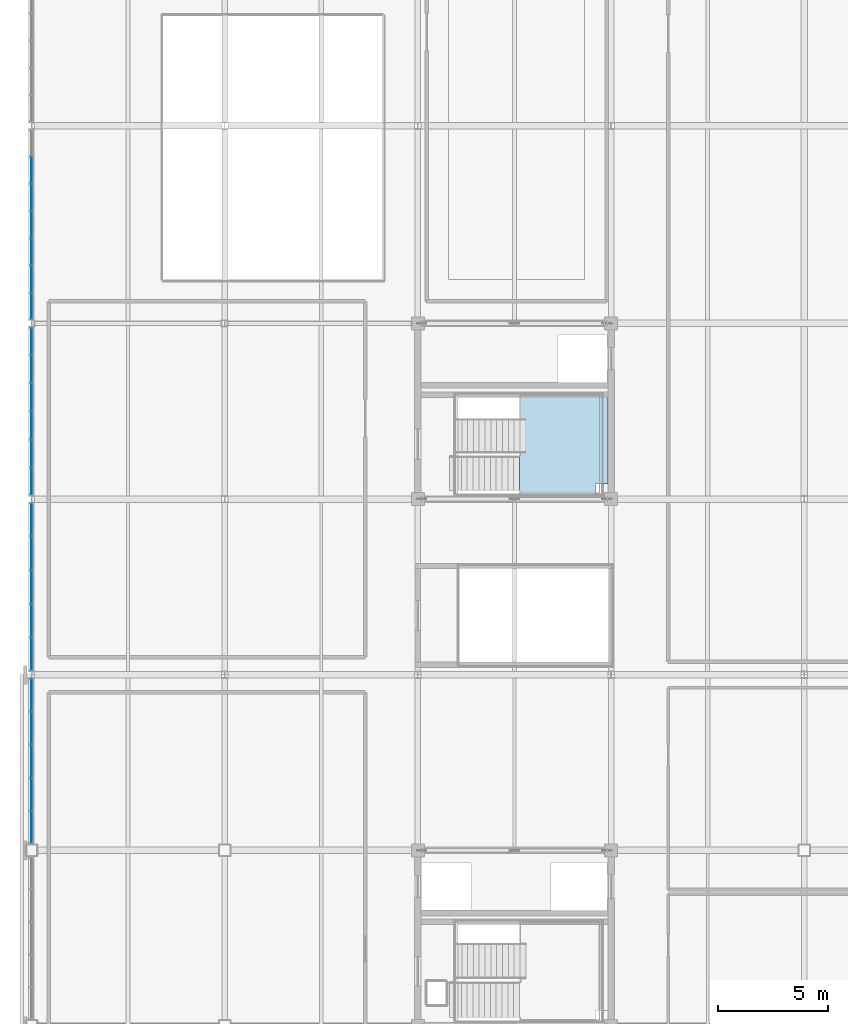
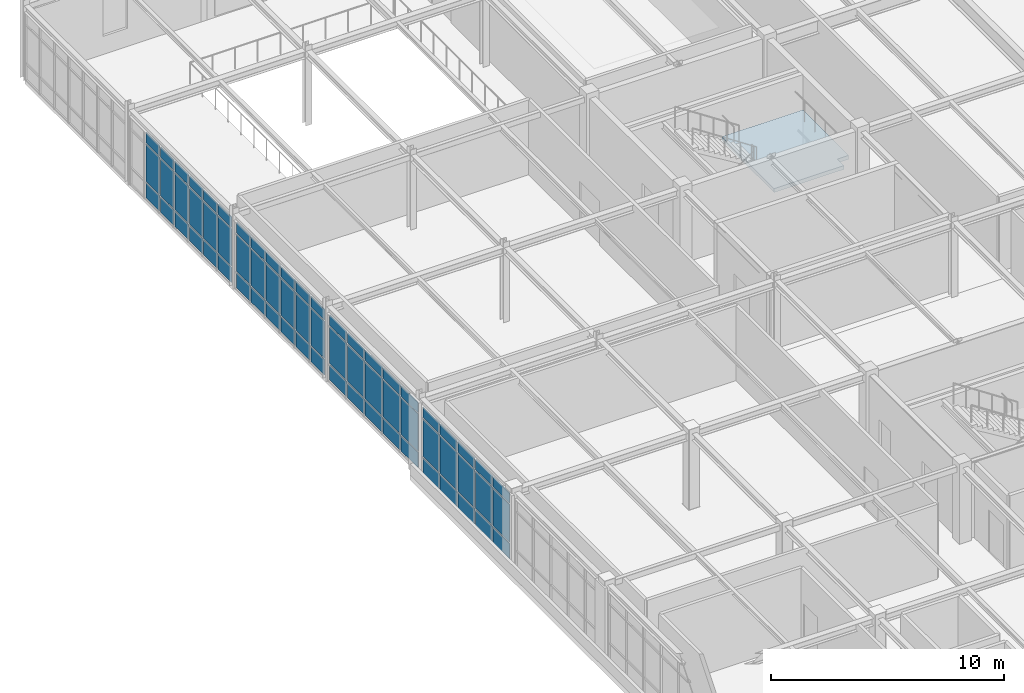
# One storey, part 43 of 88: 66 plates, 1 slab, 5 elements without a shape of their own.
"""IFC4 building model written with IfcOpenShell, lengths in metres."""

from ifc_helpers import new_model, si_unit, direction, frame, origin, origin_2d, place, context, subcontext, project, spatial, polyline, rectangle, outline, extrude, material, layer, layer_set, type_object, element, aggregate, save


model = new_model("IFC4")

# Units and contexts
model_context = context("Model", 3, precision=1e-05, world=origin(), true_north=direction((0.0, 1.0)))
body_context = subcontext(model_context, "Body", "Model", "MODEL_VIEW")
ifc_project = project(units=[si_unit("LENGTHUNIT", "METRE"), si_unit("AREAUNIT", "SQUARE_METRE"), si_unit("VOLUMEUNIT", "CUBIC_METRE"), si_unit("PLANEANGLEUNIT", "RADIAN"), si_unit("MASSUNIT", "GRAM", prefix="KILO")], contexts=[model_context])

# Site, building, storey
site_placement = place(None, origin())
site = spatial("IfcSite", under=ifc_project, at=site_placement, CompositionType="ELEMENT")
building_placement = place(site_placement, origin())
building = spatial("IfcBuilding", under=site, at=building_placement, Name="Zhaolan Boulevard Law Courts", CompositionType="ELEMENT")
storey_placement = place(building_placement, frame((0.0, 0.0, 16.199951171875)))
storey = spatial("IfcBuildingStorey", under=building, at=storey_placement, Name="L03", CompositionType="ELEMENT", Elevation=16.199951171875)

# Curtain wall, plates
ifc_material_1 = material(Name="Thermally broken aluminium and low-E glazing", Category="aluminium")
curtain_wall_type_1 = type_object("IfcCurtainWallType", Name="CURTAIN WALL M3", PredefinedType="USERDEFINED", material=ifc_material_1)
curtain_wall_1_placement = place(storey_placement, origin())
curtain_wall_1 = element("IfcCurtainWall", 1, at=curtain_wall_1_placement, inside=storey, type_object=curtain_wall_type_1, Name="Curtain Wall CW-L03-123", ObjectType="CURTAIN WALL", PredefinedType="USERDEFINED")
ifc_material_2 = material(Name="Triple-silver low-E insulated glazing", Category="glass")
ifc_layer_1 = layer(ifc_material_2, 0.028076171875)
ifc_layer_set_1 = layer_set([ifc_layer_1])
plate_type = type_object("IfcPlateType", Name="CWPANEL LOW E28", PredefinedType="CURTAIN_PANEL", material=ifc_layer_set_1)
plate_1_placement = place(storey_placement, frame((0.0, 85.062255859375, 0.06494140625), z_axis=(0.0, 0.0, 1.0), x_axis=(0.0, -1.0, 0.0)))
plate_1 = element("IfcPlate", 2, at=plate_1_placement, type_object=plate_type, Name="CW-L03-123 panel 1.1", PredefinedType="CURTAIN_PANEL", context=body_context, shape_type="SweptSolid", body=[
    extrude(rectangle(XDim=1.441650390625, YDim=0.028076171875, at=origin_2d()), origin(), (0.0, 0.0, 1.0), 0.802490234375),
])
plate_2_placement = place(storey_placement, frame((0.0, 85.062255859375, 0.9326171875), z_axis=(0.0, 0.0, 1.0), x_axis=(0.0, -1.0, 0.0)))
plate_2 = element("IfcPlate", 3, at=plate_2_placement, type_object=plate_type, Name="CW-L03-123 panel 1.2", PredefinedType="CURTAIN_PANEL", context=body_context, shape_type="SweptSolid", body=[
    extrude(rectangle(XDim=1.441650390625, YDim=0.028076171875, at=origin_2d()), origin(), (0.0, 0.0, 1.0), 1.947998046875),
])
plate_3_placement = place(storey_placement, frame((0.0, 85.062255859375, 2.9453125), z_axis=(0.0, 0.0, 1.0), x_axis=(0.0, -1.0, 0.0)))
plate_3 = element("IfcPlate", 4, at=plate_3_placement, type_object=plate_type, Name="CW-L03-123 panel 1.3", PredefinedType="CURTAIN_PANEL", context=body_context, shape_type="SweptSolid", body=[
    extrude(rectangle(XDim=1.441650390625, YDim=0.028076171875, at=origin_2d()), origin(), (0.0, 0.0, 1.0), 0.552490234375),
])
plate_4_placement = place(storey_placement, frame((0.0, 83.539306640625, 0.06494140625), z_axis=(0.0, 0.0, 1.0), x_axis=(0.0, -1.0, 0.0)))
plate_4 = element("IfcPlate", 5, at=plate_4_placement, type_object=plate_type, Name="CW-L03-123 panel 2.1", PredefinedType="CURTAIN_PANEL", context=body_context, shape_type="SweptSolid", body=[
    extrude(rectangle(XDim=1.47412109375, YDim=0.028076171875, at=origin_2d()), origin(), (0.0, 0.0, 1.0), 0.802490234375),
])
plate_5_placement = place(storey_placement, frame((0.0, 83.539306640625, 0.9326171875), z_axis=(0.0, 0.0, 1.0), x_axis=(0.0, -1.0, 0.0)))
plate_5 = element("IfcPlate", 6, at=plate_5_placement, type_object=plate_type, Name="CW-L03-123 panel 2.2", PredefinedType="CURTAIN_PANEL", context=body_context, shape_type="SweptSolid", body=[
    extrude(rectangle(XDim=1.47412109375, YDim=0.028076171875, at=origin_2d()), origin(), (0.0, 0.0, 1.0), 1.947998046875),
])
plate_6_placement = place(storey_placement, frame((0.0, 83.539306640625, 2.9453125), z_axis=(0.0, 0.0, 1.0), x_axis=(0.0, -1.0, 0.0)))
plate_6 = element("IfcPlate", 7, at=plate_6_placement, type_object=plate_type, Name="CW-L03-123 panel 2.3", PredefinedType="CURTAIN_PANEL", context=body_context, shape_type="SweptSolid", body=[
    extrude(rectangle(XDim=1.47412109375, YDim=0.028076171875, at=origin_2d()), origin(), (0.0, 0.0, 1.0), 0.552490234375),
])
plate_7_placement = place(storey_placement, frame((0.0, 82.0, 0.06494140625), z_axis=(0.0, 0.0, 1.0), x_axis=(0.0, -1.0, 0.0)))
plate_7 = element("IfcPlate", 8, at=plate_7_placement, type_object=plate_type, Name="CW-L03-123 panel 3.1", PredefinedType="CURTAIN_PANEL", context=body_context, shape_type="SweptSolid", body=[
    extrude(rectangle(XDim=1.47412109375, YDim=0.028076171875, at=origin_2d()), origin(), (0.0, 0.0, 1.0), 0.802490234375),
])
plate_8_placement = place(storey_placement, frame((0.0, 82.0, 0.9326171875), z_axis=(0.0, 0.0, 1.0), x_axis=(0.0, -1.0, 0.0)))
plate_8 = element("IfcPlate", 9, at=plate_8_placement, type_object=plate_type, Name="CW-L03-123 panel 3.2", PredefinedType="CURTAIN_PANEL", context=body_context, shape_type="SweptSolid", body=[
    extrude(rectangle(XDim=1.47412109375, YDim=0.028076171875, at=origin_2d()), origin(), (0.0, 0.0, 1.0), 1.947998046875),
])
plate_9_placement = place(storey_placement, frame((0.0, 82.0, 2.9453125), z_axis=(0.0, 0.0, 1.0), x_axis=(0.0, -1.0, 0.0)))
plate_9 = element("IfcPlate", 10, at=plate_9_placement, type_object=plate_type, Name="CW-L03-123 panel 3.3", PredefinedType="CURTAIN_PANEL", context=body_context, shape_type="SweptSolid", body=[
    extrude(rectangle(XDim=1.47412109375, YDim=0.028076171875, at=origin_2d()), origin(), (0.0, 0.0, 1.0), 0.552490234375),
])
plate_10_placement = place(storey_placement, frame((0.0, 80.460693359375, 0.06494140625), z_axis=(0.0, 0.0, 1.0), x_axis=(0.0, -1.0, 0.0)))
plate_10 = element("IfcPlate", 11, at=plate_10_placement, type_object=plate_type, Name="CW-L03-123 panel 4.1", PredefinedType="CURTAIN_PANEL", context=body_context, shape_type="SweptSolid", body=[
    extrude(rectangle(XDim=1.47412109375, YDim=0.028076171875, at=origin_2d()), origin(), (0.0, 0.0, 1.0), 0.802490234375),
])
plate_11_placement = place(storey_placement, frame((0.0, 80.460693359375, 0.9326171875), z_axis=(0.0, 0.0, 1.0), x_axis=(0.0, -1.0, 0.0)))
plate_11 = element("IfcPlate", 12, at=plate_11_placement, type_object=plate_type, Name="CW-L03-123 panel 4.2", PredefinedType="CURTAIN_PANEL", context=body_context, shape_type="SweptSolid", body=[
    extrude(rectangle(XDim=1.47412109375, YDim=0.028076171875, at=origin_2d()), origin(), (0.0, 0.0, 1.0), 1.947998046875),
])
plate_12_placement = place(storey_placement, frame((0.0, 80.460693359375, 2.9453125), z_axis=(0.0, 0.0, 1.0), x_axis=(0.0, -1.0, 0.0)))
plate_12 = element("IfcPlate", 13, at=plate_12_placement, type_object=plate_type, Name="CW-L03-123 panel 4.3", PredefinedType="CURTAIN_PANEL", context=body_context, shape_type="SweptSolid", body=[
    extrude(rectangle(XDim=1.47412109375, YDim=0.028076171875, at=origin_2d()), origin(), (0.0, 0.0, 1.0), 0.552490234375),
])
plate_13_placement = place(storey_placement, frame((0.0, 78.937744140625, 0.06494140625), z_axis=(0.0, 0.0, 1.0), x_axis=(0.0, -1.0, 0.0)))
plate_13 = element("IfcPlate", 14, at=plate_13_placement, type_object=plate_type, Name="CW-L03-123 panel 5.1", PredefinedType="CURTAIN_PANEL", context=body_context, shape_type="SweptSolid", body=[
    extrude(rectangle(XDim=1.441650390625, YDim=0.028076171875, at=origin_2d()), origin(), (0.0, 0.0, 1.0), 0.802490234375),
])
plate_14_placement = place(storey_placement, frame((0.0, 78.937744140625, 0.9326171875), z_axis=(0.0, 0.0, 1.0), x_axis=(0.0, -1.0, 0.0)))
plate_14 = element("IfcPlate", 15, at=plate_14_placement, type_object=plate_type, Name="CW-L03-123 panel 5.2", PredefinedType="CURTAIN_PANEL", context=body_context, shape_type="SweptSolid", body=[
    extrude(rectangle(XDim=1.441650390625, YDim=0.028076171875, at=origin_2d()), origin(), (0.0, 0.0, 1.0), 1.947998046875),
])
plate_15_placement = place(storey_placement, frame((0.0, 78.937744140625, 2.9453125), z_axis=(0.0, 0.0, 1.0), x_axis=(0.0, -1.0, 0.0)))
plate_15 = element("IfcPlate", 16, at=plate_15_placement, type_object=plate_type, Name="CW-L03-123 panel 5.3", PredefinedType="CURTAIN_PANEL", context=body_context, shape_type="SweptSolid", body=[
    extrude(rectangle(XDim=1.441650390625, YDim=0.028076171875, at=origin_2d()), origin(), (0.0, 0.0, 1.0), 0.552490234375),
])
aggregate(curtain_wall_1, [plate_1, plate_2, plate_3, plate_4, plate_5, plate_6, plate_7, plate_8, plate_9, plate_10, plate_11, plate_12, plate_13, plate_14, plate_15])

ifc_material_3 = material(Name="Thermally broken aluminium and low-E glazing", Category="aluminium")
curtain_wall_type_2 = type_object("IfcCurtainWallType", Name="CURTAIN WALL M4", PredefinedType="USERDEFINED", material=ifc_material_3)
curtain_wall_2_placement = place(storey_placement, origin())
curtain_wall_2 = element("IfcCurtainWall", 17, at=curtain_wall_2_placement, inside=storey, type_object=curtain_wall_type_2, Name="Curtain Wall CW-L03-124", ObjectType="CURTAIN WALL", PredefinedType="USERDEFINED")
plate_16_placement = place(storey_placement, frame((0.0, 93.1904296875, 0.06494140625), z_axis=(0.0, 0.0, 1.0), x_axis=(0.0, -1.0, 0.0)))
plate_16 = element("IfcPlate", 18, at=plate_16_placement, type_object=plate_type, Name="CW-L03-124 panel 1.1", PredefinedType="CURTAIN_PANEL", context=body_context, shape_type="SweptSolid", body=[
    extrude(rectangle(XDim=1.18505859375, YDim=0.028076171875, at=origin_2d()), origin(), (0.0, 0.0, 1.0), 0.802490234375),
])
plate_17_placement = place(storey_placement, frame((0.0, 93.1904296875, 0.9326171875), z_axis=(0.0, 0.0, 1.0), x_axis=(0.0, -1.0, 0.0)))
plate_17 = element("IfcPlate", 19, at=plate_17_placement, type_object=plate_type, Name="CW-L03-124 panel 1.2", PredefinedType="CURTAIN_PANEL", context=body_context, shape_type="SweptSolid", body=[
    extrude(rectangle(XDim=1.18505859375, YDim=0.028076171875, at=origin_2d()), origin(), (0.0, 0.0, 1.0), 1.947998046875),
])
plate_18_placement = place(storey_placement, frame((0.0, 93.1904296875, 2.9453125), z_axis=(0.0, 0.0, 1.0), x_axis=(0.0, -1.0, 0.0)))
plate_18 = element("IfcPlate", 20, at=plate_18_placement, type_object=plate_type, Name="CW-L03-124 panel 1.3", PredefinedType="CURTAIN_PANEL", context=body_context, shape_type="SweptSolid", body=[
    extrude(rectangle(XDim=1.18505859375, YDim=0.028076171875, at=origin_2d()), origin(), (0.0, 0.0, 1.0), 0.552490234375),
])
plate_19_placement = place(storey_placement, frame((0.0, 91.924072265625, 0.06494140625), z_axis=(0.0, 0.0, 1.0), x_axis=(0.0, -1.0, 0.0)))
plate_19 = element("IfcPlate", 21, at=plate_19_placement, type_object=plate_type, Name="CW-L03-124 panel 2.1", PredefinedType="CURTAIN_PANEL", context=body_context, shape_type="SweptSolid", body=[
    extrude(rectangle(XDim=1.2177734375, YDim=0.028076171875, at=origin_2d()), origin(), (0.0, 0.0, 1.0), 0.802490234375),
])
plate_20_placement = place(storey_placement, frame((0.0, 91.924072265625, 0.9326171875), z_axis=(0.0, 0.0, 1.0), x_axis=(0.0, -1.0, 0.0)))
plate_20 = element("IfcPlate", 22, at=plate_20_placement, type_object=plate_type, Name="CW-L03-124 panel 2.2", PredefinedType="CURTAIN_PANEL", context=body_context, shape_type="SweptSolid", body=[
    extrude(rectangle(XDim=1.2177734375, YDim=0.028076171875, at=origin_2d()), origin(), (0.0, 0.0, 1.0), 1.947998046875),
])
plate_21_placement = place(storey_placement, frame((0.0, 91.924072265625, 2.9453125), z_axis=(0.0, 0.0, 1.0), x_axis=(0.0, -1.0, 0.0)))
plate_21 = element("IfcPlate", 23, at=plate_21_placement, type_object=plate_type, Name="CW-L03-124 panel 2.3", PredefinedType="CURTAIN_PANEL", context=body_context, shape_type="SweptSolid", body=[
    extrude(rectangle(XDim=1.2177734375, YDim=0.028076171875, at=origin_2d()), origin(), (0.0, 0.0, 1.0), 0.552490234375),
])
plate_22_placement = place(storey_placement, frame((0.0, 90.641357421875, 0.06494140625), z_axis=(0.0, 0.0, 1.0), x_axis=(0.0, -1.0, 0.0)))
plate_22 = element("IfcPlate", 24, at=plate_22_placement, type_object=plate_type, Name="CW-L03-124 panel 3.1", PredefinedType="CURTAIN_PANEL", context=body_context, shape_type="SweptSolid", body=[
    extrude(rectangle(XDim=1.2177734375, YDim=0.028076171875, at=origin_2d()), origin(), (0.0, 0.0, 1.0), 0.802490234375),
])
plate_23_placement = place(storey_placement, frame((0.0, 90.641357421875, 0.9326171875), z_axis=(0.0, 0.0, 1.0), x_axis=(0.0, -1.0, 0.0)))
plate_23 = element("IfcPlate", 25, at=plate_23_placement, type_object=plate_type, Name="CW-L03-124 panel 3.2", PredefinedType="CURTAIN_PANEL", context=body_context, shape_type="SweptSolid", body=[
    extrude(rectangle(XDim=1.2177734375, YDim=0.028076171875, at=origin_2d()), origin(), (0.0, 0.0, 1.0), 1.947998046875),
])
plate_24_placement = place(storey_placement, frame((0.0, 90.641357421875, 2.9453125), z_axis=(0.0, 0.0, 1.0), x_axis=(0.0, -1.0, 0.0)))
plate_24 = element("IfcPlate", 26, at=plate_24_placement, type_object=plate_type, Name="CW-L03-124 panel 3.3", PredefinedType="CURTAIN_PANEL", context=body_context, shape_type="SweptSolid", body=[
    extrude(rectangle(XDim=1.2177734375, YDim=0.028076171875, at=origin_2d()), origin(), (0.0, 0.0, 1.0), 0.552490234375),
])
plate_25_placement = place(storey_placement, frame((0.0, 89.358642578125, 0.06494140625), z_axis=(0.0, 0.0, 1.0), x_axis=(0.0, -1.0, 0.0)))
plate_25 = element("IfcPlate", 27, at=plate_25_placement, type_object=plate_type, Name="CW-L03-124 panel 4.1", PredefinedType="CURTAIN_PANEL", context=body_context, shape_type="SweptSolid", body=[
    extrude(rectangle(XDim=1.2177734375, YDim=0.028076171875, at=origin_2d()), origin(), (0.0, 0.0, 1.0), 0.802490234375),
])
plate_26_placement = place(storey_placement, frame((0.0, 89.358642578125, 0.9326171875), z_axis=(0.0, 0.0, 1.0), x_axis=(0.0, -1.0, 0.0)))
plate_26 = element("IfcPlate", 28, at=plate_26_placement, type_object=plate_type, Name="CW-L03-124 panel 4.2", PredefinedType="CURTAIN_PANEL", context=body_context, shape_type="SweptSolid", body=[
    extrude(rectangle(XDim=1.2177734375, YDim=0.028076171875, at=origin_2d()), origin(), (0.0, 0.0, 1.0), 1.947998046875),
])
plate_27_placement = place(storey_placement, frame((0.0, 89.358642578125, 2.9453125), z_axis=(0.0, 0.0, 1.0), x_axis=(0.0, -1.0, 0.0)))
plate_27 = element("IfcPlate", 29, at=plate_27_placement, type_object=plate_type, Name="CW-L03-124 panel 4.3", PredefinedType="CURTAIN_PANEL", context=body_context, shape_type="SweptSolid", body=[
    extrude(rectangle(XDim=1.2177734375, YDim=0.028076171875, at=origin_2d()), origin(), (0.0, 0.0, 1.0), 0.552490234375),
])
plate_28_placement = place(storey_placement, frame((0.0, 88.075927734375, 0.06494140625), z_axis=(0.0, 0.0, 1.0), x_axis=(0.0, -1.0, 0.0)))
plate_28 = element("IfcPlate", 30, at=plate_28_placement, type_object=plate_type, Name="CW-L03-124 panel 5.1", PredefinedType="CURTAIN_PANEL", context=body_context, shape_type="SweptSolid", body=[
    extrude(rectangle(XDim=1.2177734375, YDim=0.028076171875, at=origin_2d()), origin(), (0.0, 0.0, 1.0), 0.802490234375),
])
plate_29_placement = place(storey_placement, frame((0.0, 88.075927734375, 0.9326171875), z_axis=(0.0, 0.0, 1.0), x_axis=(0.0, -1.0, 0.0)))
plate_29 = element("IfcPlate", 31, at=plate_29_placement, type_object=plate_type, Name="CW-L03-124 panel 5.2", PredefinedType="CURTAIN_PANEL", context=body_context, shape_type="SweptSolid", body=[
    extrude(rectangle(XDim=1.2177734375, YDim=0.028076171875, at=origin_2d()), origin(), (0.0, 0.0, 1.0), 1.947998046875),
])
plate_30_placement = place(storey_placement, frame((0.0, 88.075927734375, 2.9453125), z_axis=(0.0, 0.0, 1.0), x_axis=(0.0, -1.0, 0.0)))
plate_30 = element("IfcPlate", 32, at=plate_30_placement, type_object=plate_type, Name="CW-L03-124 panel 5.3", PredefinedType="CURTAIN_PANEL", context=body_context, shape_type="SweptSolid", body=[
    extrude(rectangle(XDim=1.2177734375, YDim=0.028076171875, at=origin_2d()), origin(), (0.0, 0.0, 1.0), 0.552490234375),
])
plate_31_placement = place(storey_placement, frame((0.0, 86.8095703125, 0.06494140625), z_axis=(0.0, 0.0, 1.0), x_axis=(0.0, -1.0, 0.0)))
plate_31 = element("IfcPlate", 33, at=plate_31_placement, type_object=plate_type, Name="CW-L03-124 panel 6.1", PredefinedType="CURTAIN_PANEL", context=body_context, shape_type="SweptSolid", body=[
    extrude(rectangle(XDim=1.18505859375, YDim=0.028076171875, at=origin_2d()), origin(), (0.0, 0.0, 1.0), 0.802490234375),
])
plate_32_placement = place(storey_placement, frame((0.0, 86.8095703125, 0.9326171875), z_axis=(0.0, 0.0, 1.0), x_axis=(0.0, -1.0, 0.0)))
plate_32 = element("IfcPlate", 34, at=plate_32_placement, type_object=plate_type, Name="CW-L03-124 panel 6.2", PredefinedType="CURTAIN_PANEL", context=body_context, shape_type="SweptSolid", body=[
    extrude(rectangle(XDim=1.18505859375, YDim=0.028076171875, at=origin_2d()), origin(), (0.0, 0.0, 1.0), 1.947998046875),
])
plate_33_placement = place(storey_placement, frame((0.0, 86.8095703125, 2.9453125), z_axis=(0.0, 0.0, 1.0), x_axis=(0.0, -1.0, 0.0)))
plate_33 = element("IfcPlate", 35, at=plate_33_placement, type_object=plate_type, Name="CW-L03-124 panel 6.3", PredefinedType="CURTAIN_PANEL", context=body_context, shape_type="SweptSolid", body=[
    extrude(rectangle(XDim=1.18505859375, YDim=0.028076171875, at=origin_2d()), origin(), (0.0, 0.0, 1.0), 0.552490234375),
])
aggregate(curtain_wall_2, [plate_16, plate_17, plate_18, plate_19, plate_20, plate_21, plate_22, plate_23, plate_24, plate_25, plate_26, plate_27, plate_28, plate_29, plate_30, plate_31, plate_32, plate_33])

ifc_material_4 = material(Name="Thermally broken aluminium and low-E glazing", Category="aluminium")
curtain_wall_type_3 = type_object("IfcCurtainWallType", Name="CURTAIN WALL M5", PredefinedType="USERDEFINED", material=ifc_material_4)
curtain_wall_3_placement = place(storey_placement, origin())
curtain_wall_3 = element("IfcCurtainWall", 36, at=curtain_wall_3_placement, inside=storey, type_object=curtain_wall_type_3, Name="Curtain Wall CW-L03-125", ObjectType="CURTAIN WALL", PredefinedType="USERDEFINED")
plate_34_placement = place(storey_placement, frame((0.0, 100.984619140625, 0.06494140625), z_axis=(0.0, 0.0, 1.0), x_axis=(0.0, -1.0, 0.0)))
plate_34 = element("IfcPlate", 37, at=plate_34_placement, type_object=plate_type, Name="CW-L03-125 panel 2.1", PredefinedType="CURTAIN_PANEL", context=body_context, shape_type="SweptSolid", body=[
    extrude(rectangle(XDim=1.17724609375, YDim=0.028076171875, at=origin_2d()), origin(), (0.0, 0.0, 1.0), 0.802490234375),
])
plate_35_placement = place(storey_placement, frame((0.0, 100.984619140625, 0.9326171875), z_axis=(0.0, 0.0, 1.0), x_axis=(0.0, -1.0, 0.0)))
plate_35 = element("IfcPlate", 38, at=plate_35_placement, type_object=plate_type, Name="CW-L03-125 panel 2.2", PredefinedType="CURTAIN_PANEL", context=body_context, shape_type="SweptSolid", body=[
    extrude(rectangle(XDim=1.17724609375, YDim=0.028076171875, at=origin_2d()), origin(), (0.0, 0.0, 1.0), 1.947998046875),
])
plate_36_placement = place(storey_placement, frame((0.0, 100.984619140625, 2.9453125), z_axis=(0.0, 0.0, 1.0), x_axis=(0.0, -1.0, 0.0)))
plate_36 = element("IfcPlate", 39, at=plate_36_placement, type_object=plate_type, Name="CW-L03-125 panel 2.3", PredefinedType="CURTAIN_PANEL", context=body_context, shape_type="SweptSolid", body=[
    extrude(rectangle(XDim=1.17724609375, YDim=0.028076171875, at=origin_2d()), origin(), (0.0, 0.0, 1.0), 0.552490234375),
])
plate_37_placement = place(storey_placement, frame((0.0, 99.7421875, 0.06494140625), z_axis=(0.0, 0.0, 1.0), x_axis=(0.0, -1.0, 0.0)))
plate_37 = element("IfcPlate", 40, at=plate_37_placement, type_object=plate_type, Name="CW-L03-125 panel 3.1", PredefinedType="CURTAIN_PANEL", context=body_context, shape_type="SweptSolid", body=[
    extrude(rectangle(XDim=1.17724609375, YDim=0.028076171875, at=origin_2d()), origin(), (0.0, 0.0, 1.0), 0.802490234375),
])
plate_38_placement = place(storey_placement, frame((0.0, 99.7421875, 0.9326171875), z_axis=(0.0, 0.0, 1.0), x_axis=(0.0, -1.0, 0.0)))
plate_38 = element("IfcPlate", 41, at=plate_38_placement, type_object=plate_type, Name="CW-L03-125 panel 3.2", PredefinedType="CURTAIN_PANEL", context=body_context, shape_type="SweptSolid", body=[
    extrude(rectangle(XDim=1.17724609375, YDim=0.028076171875, at=origin_2d()), origin(), (0.0, 0.0, 1.0), 1.947998046875),
])
plate_39_placement = place(storey_placement, frame((0.0, 99.7421875, 2.9453125), z_axis=(0.0, 0.0, 1.0), x_axis=(0.0, -1.0, 0.0)))
plate_39 = element("IfcPlate", 42, at=plate_39_placement, type_object=plate_type, Name="CW-L03-125 panel 3.3", PredefinedType="CURTAIN_PANEL", context=body_context, shape_type="SweptSolid", body=[
    extrude(rectangle(XDim=1.17724609375, YDim=0.028076171875, at=origin_2d()), origin(), (0.0, 0.0, 1.0), 0.552490234375),
])
plate_40_placement = place(storey_placement, frame((0.0, 98.5, 0.06494140625), z_axis=(0.0, 0.0, 1.0), x_axis=(0.0, -1.0, 0.0)))
plate_40 = element("IfcPlate", 43, at=plate_40_placement, type_object=plate_type, Name="CW-L03-125 panel 4.1", PredefinedType="CURTAIN_PANEL", context=body_context, shape_type="SweptSolid", body=[
    extrude(rectangle(XDim=1.17724609375, YDim=0.028076171875, at=origin_2d()), origin(), (0.0, 0.0, 1.0), 0.802490234375),
])
plate_41_placement = place(storey_placement, frame((0.0, 98.5, 0.9326171875), z_axis=(0.0, 0.0, 1.0), x_axis=(0.0, -1.0, 0.0)))
plate_41 = element("IfcPlate", 44, at=plate_41_placement, type_object=plate_type, Name="CW-L03-125 panel 4.2", PredefinedType="CURTAIN_PANEL", context=body_context, shape_type="SweptSolid", body=[
    extrude(rectangle(XDim=1.17724609375, YDim=0.028076171875, at=origin_2d()), origin(), (0.0, 0.0, 1.0), 1.947998046875),
])
plate_42_placement = place(storey_placement, frame((0.0, 98.5, 2.9453125), z_axis=(0.0, 0.0, 1.0), x_axis=(0.0, -1.0, 0.0)))
plate_42 = element("IfcPlate", 45, at=plate_42_placement, type_object=plate_type, Name="CW-L03-125 panel 4.3", PredefinedType="CURTAIN_PANEL", context=body_context, shape_type="SweptSolid", body=[
    extrude(rectangle(XDim=1.17724609375, YDim=0.028076171875, at=origin_2d()), origin(), (0.0, 0.0, 1.0), 0.552490234375),
])
plate_43_placement = place(storey_placement, frame((0.0, 97.2578125, 0.06494140625), z_axis=(0.0, 0.0, 1.0), x_axis=(0.0, -1.0, 0.0)))
plate_43 = element("IfcPlate", 46, at=plate_43_placement, type_object=plate_type, Name="CW-L03-125 panel 5.1", PredefinedType="CURTAIN_PANEL", context=body_context, shape_type="SweptSolid", body=[
    extrude(rectangle(XDim=1.17724609375, YDim=0.028076171875, at=origin_2d()), origin(), (0.0, 0.0, 1.0), 0.802490234375),
])
plate_44_placement = place(storey_placement, frame((0.0, 97.2578125, 0.9326171875), z_axis=(0.0, 0.0, 1.0), x_axis=(0.0, -1.0, 0.0)))
plate_44 = element("IfcPlate", 47, at=plate_44_placement, type_object=plate_type, Name="CW-L03-125 panel 5.2", PredefinedType="CURTAIN_PANEL", context=body_context, shape_type="SweptSolid", body=[
    extrude(rectangle(XDim=1.17724609375, YDim=0.028076171875, at=origin_2d()), origin(), (0.0, 0.0, 1.0), 1.947998046875),
])
plate_45_placement = place(storey_placement, frame((0.0, 97.2578125, 2.9453125), z_axis=(0.0, 0.0, 1.0), x_axis=(0.0, -1.0, 0.0)))
plate_45 = element("IfcPlate", 48, at=plate_45_placement, type_object=plate_type, Name="CW-L03-125 panel 5.3", PredefinedType="CURTAIN_PANEL", context=body_context, shape_type="SweptSolid", body=[
    extrude(rectangle(XDim=1.17724609375, YDim=0.028076171875, at=origin_2d()), origin(), (0.0, 0.0, 1.0), 0.552490234375),
])
plate_46_placement = place(storey_placement, frame((0.0, 96.015380859375, 0.06494140625), z_axis=(0.0, 0.0, 1.0), x_axis=(0.0, -1.0, 0.0)))
plate_46 = element("IfcPlate", 49, at=plate_46_placement, type_object=plate_type, Name="CW-L03-125 panel 6.1", PredefinedType="CURTAIN_PANEL", context=body_context, shape_type="SweptSolid", body=[
    extrude(rectangle(XDim=1.17724609375, YDim=0.028076171875, at=origin_2d()), origin(), (0.0, 0.0, 1.0), 0.802490234375),
])
plate_47_placement = place(storey_placement, frame((0.0, 96.015380859375, 0.9326171875), z_axis=(0.0, 0.0, 1.0), x_axis=(0.0, -1.0, 0.0)))
plate_47 = element("IfcPlate", 50, at=plate_47_placement, type_object=plate_type, Name="CW-L03-125 panel 6.2", PredefinedType="CURTAIN_PANEL", context=body_context, shape_type="SweptSolid", body=[
    extrude(rectangle(XDim=1.17724609375, YDim=0.028076171875, at=origin_2d()), origin(), (0.0, 0.0, 1.0), 1.947998046875),
])
plate_48_placement = place(storey_placement, frame((0.0, 96.015380859375, 2.9453125), z_axis=(0.0, 0.0, 1.0), x_axis=(0.0, -1.0, 0.0)))
plate_48 = element("IfcPlate", 51, at=plate_48_placement, type_object=plate_type, Name="CW-L03-125 panel 6.3", PredefinedType="CURTAIN_PANEL", context=body_context, shape_type="SweptSolid", body=[
    extrude(rectangle(XDim=1.17724609375, YDim=0.028076171875, at=origin_2d()), origin(), (0.0, 0.0, 1.0), 0.552490234375),
])
plate_49_placement = place(storey_placement, frame((0.0, 94.789306640625, 0.06494140625), z_axis=(0.0, 0.0, 1.0), x_axis=(0.0, -1.0, 0.0)))
plate_49 = element("IfcPlate", 52, at=plate_49_placement, type_object=plate_type, Name="CW-L03-125 panel 7.1", PredefinedType="CURTAIN_PANEL", context=body_context, shape_type="SweptSolid", body=[
    extrude(rectangle(XDim=1.144775390625, YDim=0.028076171875, at=origin_2d()), origin(), (0.0, 0.0, 1.0), 0.802490234375),
])
plate_50_placement = place(storey_placement, frame((0.0, 94.789306640625, 0.9326171875), z_axis=(0.0, 0.0, 1.0), x_axis=(0.0, -1.0, 0.0)))
plate_50 = element("IfcPlate", 53, at=plate_50_placement, type_object=plate_type, Name="CW-L03-125 panel 7.2", PredefinedType="CURTAIN_PANEL", context=body_context, shape_type="SweptSolid", body=[
    extrude(rectangle(XDim=1.144775390625, YDim=0.028076171875, at=origin_2d()), origin(), (0.0, 0.0, 1.0), 1.947998046875),
])
plate_51_placement = place(storey_placement, frame((0.0, 94.789306640625, 2.9453125), z_axis=(0.0, 0.0, 1.0), x_axis=(0.0, -1.0, 0.0)))
plate_51 = element("IfcPlate", 54, at=plate_51_placement, type_object=plate_type, Name="CW-L03-125 panel 7.3", PredefinedType="CURTAIN_PANEL", context=body_context, shape_type="SweptSolid", body=[
    extrude(rectangle(XDim=1.144775390625, YDim=0.028076171875, at=origin_2d()), origin(), (0.0, 0.0, 1.0), 0.552490234375),
])
aggregate(curtain_wall_3, [plate_34, plate_35, plate_36, plate_37, plate_38, plate_39, plate_40, plate_41, plate_42, plate_43, plate_44, plate_45, plate_46, plate_47, plate_48, plate_49, plate_50, plate_51])

ifc_material_5 = material(Name="Thermally broken aluminium and low-E glazing", Category="aluminium")
curtain_wall_type_4 = type_object("IfcCurtainWallType", Name="CURTAIN WALL M10", PredefinedType="USERDEFINED", material=ifc_material_5)
curtain_wall_4_placement = place(storey_placement, origin())
curtain_wall_4 = element("IfcCurtainWall", 55, at=curtain_wall_4_placement, inside=storey, type_object=curtain_wall_type_4, Name="Curtain Wall CW-L03-178", ObjectType="CURTAIN WALL", PredefinedType="USERDEFINED")
plate_52_placement = place(storey_placement, frame((0.0, 77.07470703125, 0.06494140625), z_axis=(0.0, 0.0, 1.0), x_axis=(0.0, -1.0, 0.0)))
plate_52 = element("IfcPlate", 56, at=plate_52_placement, type_object=plate_type, Name="CW-L03-178 panel 1.1", PredefinedType="CURTAIN_PANEL", context=body_context, shape_type="SweptSolid", body=[
    extrude(rectangle(XDim=1.416748046875, YDim=0.028076171875, at=origin_2d()), origin(), (0.0, 0.0, 1.0), 0.802490234375),
])
plate_53_placement = place(storey_placement, frame((0.0, 77.07470703125, 0.9326171875), z_axis=(0.0, 0.0, 1.0), x_axis=(0.0, -1.0, 0.0)))
plate_53 = element("IfcPlate", 57, at=plate_53_placement, type_object=plate_type, Name="CW-L03-178 panel 1.2", PredefinedType="CURTAIN_PANEL", context=body_context, shape_type="SweptSolid", body=[
    extrude(rectangle(XDim=1.416748046875, YDim=0.028076171875, at=origin_2d()), origin(), (0.0, 0.0, 1.0), 1.97802734375),
])
plate_54_placement = place(storey_placement, frame((0.0, 77.07470703125, 2.9755859375), z_axis=(0.0, 0.0, 1.0), x_axis=(0.0, -1.0, 0.0)))
plate_54 = element("IfcPlate", 58, at=plate_54_placement, type_object=plate_type, Name="CW-L03-178 panel 1.3", PredefinedType="CURTAIN_PANEL", context=body_context, shape_type="SweptSolid", body=[
    extrude(rectangle(XDim=1.416748046875, YDim=0.028076171875, at=origin_2d()), origin(), (0.0, 0.0, 1.0), 0.552490234375),
])
plate_55_placement = place(storey_placement, frame((0.0, 75.57666015625, 0.06494140625), z_axis=(0.0, 0.0, 1.0), x_axis=(0.0, -1.0, 0.0)))
plate_55 = element("IfcPlate", 59, at=plate_55_placement, type_object=plate_type, Name="CW-L03-178 panel 2.1", PredefinedType="CURTAIN_PANEL", context=body_context, shape_type="SweptSolid", body=[
    extrude(rectangle(XDim=1.44921875, YDim=0.028076171875, at=origin_2d()), origin(), (0.0, 0.0, 1.0), 0.802490234375),
])
plate_56_placement = place(storey_placement, frame((0.0, 75.57666015625, 0.9326171875), z_axis=(0.0, 0.0, 1.0), x_axis=(0.0, -1.0, 0.0)))
plate_56 = element("IfcPlate", 60, at=plate_56_placement, type_object=plate_type, Name="CW-L03-178 panel 2.2", PredefinedType="CURTAIN_PANEL", context=body_context, shape_type="SweptSolid", body=[
    extrude(rectangle(XDim=1.44921875, YDim=0.028076171875, at=origin_2d()), origin(), (0.0, 0.0, 1.0), 1.97802734375),
])
plate_57_placement = place(storey_placement, frame((0.0, 75.57666015625, 2.9755859375), z_axis=(0.0, 0.0, 1.0), x_axis=(0.0, -1.0, 0.0)))
plate_57 = element("IfcPlate", 61, at=plate_57_placement, type_object=plate_type, Name="CW-L03-178 panel 2.3", PredefinedType="CURTAIN_PANEL", context=body_context, shape_type="SweptSolid", body=[
    extrude(rectangle(XDim=1.44921875, YDim=0.028076171875, at=origin_2d()), origin(), (0.0, 0.0, 1.0), 0.552490234375),
])
plate_58_placement = place(storey_placement, frame((0.0, 74.0625, 0.06494140625), z_axis=(0.0, 0.0, 1.0), x_axis=(0.0, -1.0, 0.0)))
plate_58 = element("IfcPlate", 62, at=plate_58_placement, type_object=plate_type, Name="CW-L03-178 panel 3.1", PredefinedType="CURTAIN_PANEL", context=body_context, shape_type="SweptSolid", body=[
    extrude(rectangle(XDim=1.44921875, YDim=0.028076171875, at=origin_2d()), origin(), (0.0, 0.0, 1.0), 0.802490234375),
])
plate_59_placement = place(storey_placement, frame((0.0, 74.0625, 0.9326171875), z_axis=(0.0, 0.0, 1.0), x_axis=(0.0, -1.0, 0.0)))
plate_59 = element("IfcPlate", 63, at=plate_59_placement, type_object=plate_type, Name="CW-L03-178 panel 3.2", PredefinedType="CURTAIN_PANEL", context=body_context, shape_type="SweptSolid", body=[
    extrude(rectangle(XDim=1.44921875, YDim=0.028076171875, at=origin_2d()), origin(), (0.0, 0.0, 1.0), 1.97802734375),
])
plate_60_placement = place(storey_placement, frame((0.0, 74.0625, 2.9755859375), z_axis=(0.0, 0.0, 1.0), x_axis=(0.0, -1.0, 0.0)))
plate_60 = element("IfcPlate", 64, at=plate_60_placement, type_object=plate_type, Name="CW-L03-178 panel 3.3", PredefinedType="CURTAIN_PANEL", context=body_context, shape_type="SweptSolid", body=[
    extrude(rectangle(XDim=1.44921875, YDim=0.028076171875, at=origin_2d()), origin(), (0.0, 0.0, 1.0), 0.552490234375),
])
plate_61_placement = place(storey_placement, frame((0.0, 72.54833984375, 0.06494140625), z_axis=(0.0, 0.0, 1.0), x_axis=(0.0, -1.0, 0.0)))
plate_61 = element("IfcPlate", 65, at=plate_61_placement, type_object=plate_type, Name="CW-L03-178 panel 4.1", PredefinedType="CURTAIN_PANEL", context=body_context, shape_type="SweptSolid", body=[
    extrude(rectangle(XDim=1.44921875, YDim=0.028076171875, at=origin_2d()), origin(), (0.0, 0.0, 1.0), 0.802490234375),
])
plate_62_placement = place(storey_placement, frame((0.0, 72.54833984375, 0.9326171875), z_axis=(0.0, 0.0, 1.0), x_axis=(0.0, -1.0, 0.0)))
plate_62 = element("IfcPlate", 66, at=plate_62_placement, type_object=plate_type, Name="CW-L03-178 panel 4.2", PredefinedType="CURTAIN_PANEL", context=body_context, shape_type="SweptSolid", body=[
    extrude(rectangle(XDim=1.44921875, YDim=0.028076171875, at=origin_2d()), origin(), (0.0, 0.0, 1.0), 1.97802734375),
])
plate_63_placement = place(storey_placement, frame((0.0, 72.54833984375, 2.9755859375), z_axis=(0.0, 0.0, 1.0), x_axis=(0.0, -1.0, 0.0)))
plate_63 = element("IfcPlate", 67, at=plate_63_placement, type_object=plate_type, Name="CW-L03-178 panel 4.3", PredefinedType="CURTAIN_PANEL", context=body_context, shape_type="SweptSolid", body=[
    extrude(rectangle(XDim=1.44921875, YDim=0.028076171875, at=origin_2d()), origin(), (0.0, 0.0, 1.0), 0.552490234375),
])
plate_64_placement = place(storey_placement, frame((0.0, 71.05029296875, 0.06494140625), z_axis=(0.0, 0.0, 1.0), x_axis=(0.0, -1.0, 0.0)))
plate_64 = element("IfcPlate", 68, at=plate_64_placement, type_object=plate_type, Name="CW-L03-178 panel 5.1", PredefinedType="CURTAIN_PANEL", context=body_context, shape_type="SweptSolid", body=[
    extrude(rectangle(XDim=1.416748046875, YDim=0.028076171875, at=origin_2d()), origin(), (0.0, 0.0, 1.0), 0.802490234375),
])
plate_65_placement = place(storey_placement, frame((0.0, 71.05029296875, 0.9326171875), z_axis=(0.0, 0.0, 1.0), x_axis=(0.0, -1.0, 0.0)))
plate_65 = element("IfcPlate", 69, at=plate_65_placement, type_object=plate_type, Name="CW-L03-178 panel 5.2", PredefinedType="CURTAIN_PANEL", context=body_context, shape_type="SweptSolid", body=[
    extrude(rectangle(XDim=1.416748046875, YDim=0.028076171875, at=origin_2d()), origin(), (0.0, 0.0, 1.0), 1.97802734375),
])
plate_66_placement = place(storey_placement, frame((0.0, 71.05029296875, 2.9755859375), z_axis=(0.0, 0.0, 1.0), x_axis=(0.0, -1.0, 0.0)))
plate_66 = element("IfcPlate", 70, at=plate_66_placement, type_object=plate_type, Name="CW-L03-178 panel 5.3", PredefinedType="CURTAIN_PANEL", context=body_context, shape_type="SweptSolid", body=[
    extrude(rectangle(XDim=1.416748046875, YDim=0.028076171875, at=origin_2d()), origin(), (0.0, 0.0, 1.0), 0.552490234375),
])
aggregate(curtain_wall_4, [plate_52, plate_53, plate_54, plate_55, plate_56, plate_57, plate_58, plate_59, plate_60, plate_61, plate_62, plate_63, plate_64, plate_65, plate_66])

# Stair, slab
ifc_material_6 = material(Name="Concrete C40", Category="concrete")
stair_type = type_object("IfcStairType", Name="HALF TURN STAIR 42 B", PredefinedType="HALF_TURN_STAIR", material=ifc_material_6)
stair_placement = place(storey_placement, origin())
stair = element("IfcStair", 71, at=stair_placement, inside=storey, type_object=stair_type, Name="Stair ST10-L03", PredefinedType="HALF_TURN_STAIR")
ifc_material_7 = material(Name="Concrete C40", Category="concrete")
ifc_layer_2 = layer(ifc_material_7, 0.199951171875)
ifc_layer_set_2 = layer_set([ifc_layer_2])
slab_type = type_object("IfcSlabType", Name="STAIR LANDING 200", PredefinedType="LANDING", material=ifc_layer_set_2)
slab_placement = place(storey_placement, frame((0.0, 0.0, 1.900146484375)))
slab = element("IfcSlab", 72, at=slab_placement, type_object=slab_type, Name="Stair Landing ST10-L03-L1", PredefinedType="LANDING", context=body_context, shape_type="SweptSolid", body=[
    extrude(outline(polyline([(22.22998046875, 86.14501953125), (25.695068359375, 86.14501953125), (25.695068359375, 86.705078125), (26.2548828125, 86.705078125), (26.2548828125, 90.639892578125), (22.22998046875, 90.639892578125), (22.22998046875, 86.14501953125)])), origin(), (0.0, 0.0, 1.0), 0.199951171875),
])
aggregate(stair, [slab])

save(model, "model.ifc")
